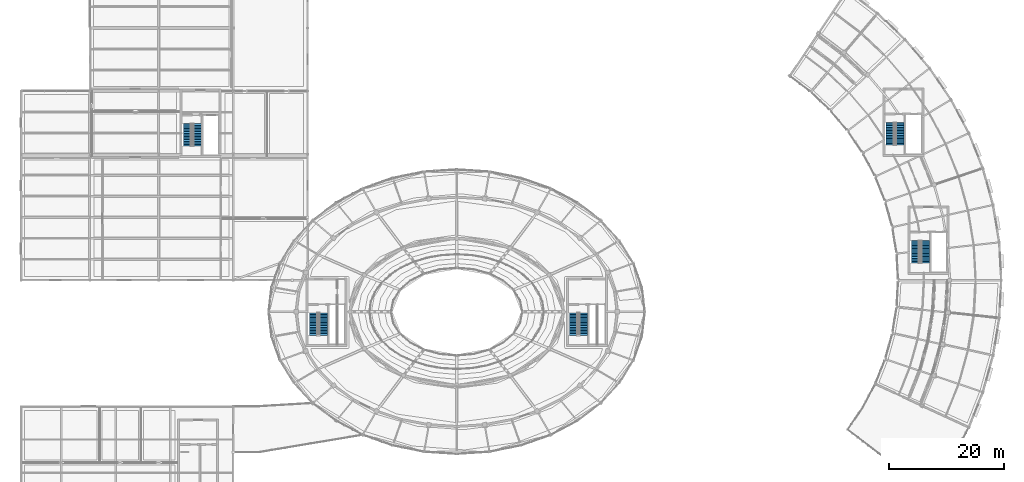
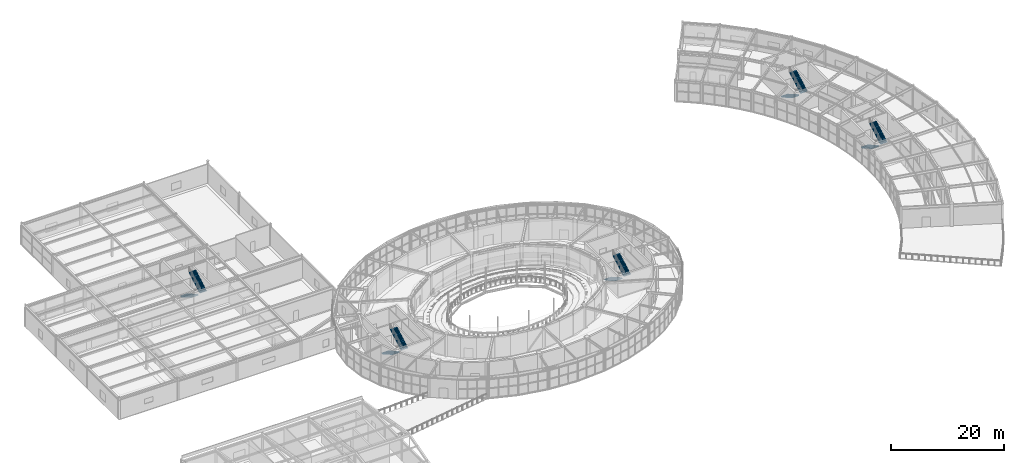
# One storey, part 96 of 108: 10 stair flights, 5 elements without a shape of their own.
"""IFC4 building model written with IfcOpenShell, lengths in metres."""

from ifc_helpers import new_model, si_unit, direction, frame, origin, place, context, subcontext, project, spatial, polyline, outline, extrude, material, type_object, element, aggregate, save


model = new_model("IFC4")

# Units and contexts
model_context = context("Model", 3, precision=1e-05, world=origin(), true_north=direction((0.0, 1.0)))
body_context = subcontext(model_context, "Body", "Model", "MODEL_VIEW")
ifc_project = project(units=[si_unit("LENGTHUNIT", "METRE"), si_unit("AREAUNIT", "SQUARE_METRE"), si_unit("VOLUMEUNIT", "CUBIC_METRE"), si_unit("PLANEANGLEUNIT", "RADIAN"), si_unit("MASSUNIT", "GRAM", prefix="KILO")], contexts=[model_context])

# Site, building, storey
site_placement = place(None, origin())
site = spatial("IfcSite", under=ifc_project, at=site_placement, CompositionType="ELEMENT")
building_placement = place(site_placement, origin())
building = spatial("IfcBuilding", under=site, at=building_placement, Name="Tarnveldt Headland Concert Hall", CompositionType="ELEMENT")
storey_placement = place(building_placement, frame((0.0, 0.0, 9.60009765625)))
storey = spatial("IfcBuildingStorey", under=building, at=storey_placement, Name="L02", CompositionType="ELEMENT", Elevation=9.60009765625)

# Stair, stair flights
ifc_material = material(Name="Concrete C40/50", Category="concrete")
stair_type = type_object("IfcStairType", Name="ST-CORE480", PredefinedType="HALF_TURN_STAIR", material=ifc_material)
stair_1_placement = place(storey_placement, origin())
stair_1 = element("IfcStair", 1, at=stair_1_placement, inside=storey, type_object=stair_type, Name="Exit stair STR-C1-L02", PredefinedType="HALF_TURN_STAIR")
stair_flight_type = type_object("IfcStairFlightType", Name="SF-140x160", PredefinedType="STRAIGHT", material=ifc_material)
stair_flight_1_placement = place(storey_placement, frame((58.489990234375, 54.320068359375, 0.0), z_axis=(0.0, 0.0, 1.0), x_axis=(0.0, -1.0, 0.0)))
stair_flight_1 = element("IfcStairFlight", 2, at=stair_flight_1_placement, type_object=stair_flight_type, Name="Stair flight STR-C1-L02-F1", NumberOfRisers=15, NumberOfTreads=14, PredefinedType="STRAIGHT", RiserHeight=0.16, TreadLength=0.28, context=body_context, shape_type="SweptSolid", body=[
    extrude(outline(polyline([(0.0, 0.0), (0.0, 0.159912109375), (0.280029296875, 0.159912109375), (0.280029296875, 0.320068359375), (0.56005859375, 0.320068359375), (0.56005859375, 0.47998046875), (0.840087890625, 0.47998046875), (0.840087890625, 0.639892578125), (1.1201171875, 0.639892578125), (1.1201171875, 0.800048828125), (1.39990234375, 0.800048828125), (1.39990234375, 0.9599609375), (1.679931640625, 0.9599609375), (1.679931640625, 1.1201171875), (1.9599609375, 1.1201171875), (1.9599609375, 1.280029296875), (2.239990234375, 1.280029296875), (2.239990234375, 1.43994140625), (2.52001953125, 1.43994140625), (2.52001953125, 1.60009765625), (2.800048828125, 1.60009765625), (2.800048828125, 1.760009765625), (3.080078125, 1.760009765625), (3.080078125, 1.919921875), (3.360107421875, 1.919921875), (3.360107421875, 2.080078125), (3.639892578125, 2.080078125), (3.639892578125, 2.239990234375), (3.919921875, 2.239990234375), (3.919921875, 2.39990234375), (3.919921875, 2.055908203125), (0.322265625, 0.0), (0.0, 0.0)])), frame((0.0, 0.699951171875, 0.0), z_axis=(0.0, -1.0, 0.0), x_axis=(1.0, 0.0, 0.0)), (0.0, 0.0, 1.0), 1.39990234375),
])
stair_flight_2_placement = place(storey_placement, frame((60.22998046875, 50.39990234375, 2.39990234375), z_axis=(0.0, 0.0, 1.0), x_axis=(0.0, 1.0, 0.0)))
stair_flight_2 = element("IfcStairFlight", 3, at=stair_flight_2_placement, type_object=stair_flight_type, Name="Stair flight STR-C1-L02-F2", NumberOfRisers=15, NumberOfTreads=14, PredefinedType="STRAIGHT", RiserHeight=0.16, TreadLength=0.28, context=body_context, shape_type="SweptSolid", body=[
    extrude(outline(polyline([(0.0, 0.0), (0.0, 0.159912109375), (0.280029296875, 0.159912109375), (0.280029296875, 0.320068359375), (0.56005859375, 0.320068359375), (0.56005859375, 0.47998046875), (0.840087890625, 0.47998046875), (0.840087890625, 0.639892578125), (1.1201171875, 0.639892578125), (1.1201171875, 0.800048828125), (1.39990234375, 0.800048828125), (1.39990234375, 0.9599609375), (1.679931640625, 0.9599609375), (1.679931640625, 1.1201171875), (1.9599609375, 1.1201171875), (1.9599609375, 1.280029296875), (2.239990234375, 1.280029296875), (2.239990234375, 1.43994140625), (2.52001953125, 1.43994140625), (2.52001953125, 1.60009765625), (2.800048828125, 1.60009765625), (2.800048828125, 1.760009765625), (3.080078125, 1.760009765625), (3.080078125, 1.919921875), (3.360107421875, 1.919921875), (3.360107421875, 2.080078125), (3.639892578125, 2.080078125), (3.639892578125, 2.239990234375), (3.919921875, 2.239990234375), (3.919921875, 2.39990234375), (3.919921875, 2.055908203125), (0.322265625, 0.0), (0.0, 0.0)])), frame((0.0, 0.699951171875, 0.0), z_axis=(0.0, -1.0, 0.0), x_axis=(1.0, 0.0, 0.0)), (0.0, 0.0, 1.0), 1.39990234375),
])
aggregate(stair_1, [stair_flight_1, stair_flight_2])

stair_2_placement = place(storey_placement, origin())
stair_2 = element("IfcStair", 4, at=stair_2_placement, inside=storey, type_object=stair_type, Name="Exit stair STR-C2-L02", PredefinedType="HALF_TURN_STAIR")
stair_flight_3_placement = place(storey_placement, frame((103.889892578125, 54.320068359375, 0.0), z_axis=(0.0, 0.0, 1.0), x_axis=(0.0, -1.0, 0.0)))
stair_flight_3 = element("IfcStairFlight", 5, at=stair_flight_3_placement, type_object=stair_flight_type, Name="Stair flight STR-C2-L02-F1", NumberOfRisers=15, NumberOfTreads=14, PredefinedType="STRAIGHT", RiserHeight=0.16, TreadLength=0.28, context=body_context, shape_type="SweptSolid", body=[
    extrude(outline(polyline([(0.0, 0.0), (0.0, 0.159912109375), (0.280029296875, 0.159912109375), (0.280029296875, 0.320068359375), (0.56005859375, 0.320068359375), (0.56005859375, 0.47998046875), (0.840087890625, 0.47998046875), (0.840087890625, 0.639892578125), (1.1201171875, 0.639892578125), (1.1201171875, 0.800048828125), (1.39990234375, 0.800048828125), (1.39990234375, 0.9599609375), (1.679931640625, 0.9599609375), (1.679931640625, 1.1201171875), (1.9599609375, 1.1201171875), (1.9599609375, 1.280029296875), (2.239990234375, 1.280029296875), (2.239990234375, 1.43994140625), (2.52001953125, 1.43994140625), (2.52001953125, 1.60009765625), (2.800048828125, 1.60009765625), (2.800048828125, 1.760009765625), (3.080078125, 1.760009765625), (3.080078125, 1.919921875), (3.360107421875, 1.919921875), (3.360107421875, 2.080078125), (3.639892578125, 2.080078125), (3.639892578125, 2.239990234375), (3.919921875, 2.239990234375), (3.919921875, 2.39990234375), (3.919921875, 2.055908203125), (0.322265625, 0.0), (0.0, 0.0)])), frame((0.0, 0.699951171875, 0.0), z_axis=(0.0, -1.0, 0.0), x_axis=(1.0, 0.0, 0.0)), (0.0, 0.0, 1.0), 1.39990234375),
])
stair_flight_4_placement = place(storey_placement, frame((105.6298828125, 50.39990234375, 2.39990234375), z_axis=(0.0, 0.0, 1.0), x_axis=(0.0, 1.0, 0.0)))
stair_flight_4 = element("IfcStairFlight", 6, at=stair_flight_4_placement, type_object=stair_flight_type, Name="Stair flight STR-C2-L02-F2", NumberOfRisers=15, NumberOfTreads=14, PredefinedType="STRAIGHT", RiserHeight=0.16, TreadLength=0.28, context=body_context, shape_type="SweptSolid", body=[
    extrude(outline(polyline([(0.0, 0.0), (0.0, 0.159912109375), (0.280029296875, 0.159912109375), (0.280029296875, 0.320068359375), (0.56005859375, 0.320068359375), (0.56005859375, 0.47998046875), (0.840087890625, 0.47998046875), (0.840087890625, 0.639892578125), (1.1201171875, 0.639892578125), (1.1201171875, 0.800048828125), (1.39990234375, 0.800048828125), (1.39990234375, 0.9599609375), (1.679931640625, 0.9599609375), (1.679931640625, 1.1201171875), (1.9599609375, 1.1201171875), (1.9599609375, 1.280029296875), (2.239990234375, 1.280029296875), (2.239990234375, 1.43994140625), (2.52001953125, 1.43994140625), (2.52001953125, 1.60009765625), (2.800048828125, 1.60009765625), (2.800048828125, 1.760009765625), (3.080078125, 1.760009765625), (3.080078125, 1.919921875), (3.360107421875, 1.919921875), (3.360107421875, 2.080078125), (3.639892578125, 2.080078125), (3.639892578125, 2.239990234375), (3.919921875, 2.239990234375), (3.919921875, 2.39990234375), (3.919921875, 2.055908203125), (0.322265625, 0.0), (0.0, 0.0)])), frame((0.0, 0.699951171875, 0.0), z_axis=(0.0, -1.0, 0.0), x_axis=(1.0, 0.0, 0.0)), (0.0, 0.0, 1.0), 1.39990234375),
])
aggregate(stair_2, [stair_flight_3, stair_flight_4])

stair_3_placement = place(storey_placement, origin())
stair_3 = element("IfcStair", 7, at=stair_3_placement, inside=storey, type_object=stair_type, Name="Exit stair STR-C3-L02", PredefinedType="HALF_TURN_STAIR")
stair_flight_5_placement = place(storey_placement, frame((159.090087890625, 87.52001953125, 0.0), z_axis=(0.0, 0.0, 1.0), x_axis=(0.0, -1.0, 0.0)))
stair_flight_5 = element("IfcStairFlight", 8, at=stair_flight_5_placement, type_object=stair_flight_type, Name="Stair flight STR-C3-L02-F1", NumberOfRisers=15, NumberOfTreads=14, PredefinedType="STRAIGHT", RiserHeight=0.16, TreadLength=0.28, context=body_context, shape_type="SweptSolid", body=[
    extrude(outline(polyline([(0.0, 0.0), (0.0, 0.159912109375), (0.280029296875, 0.159912109375), (0.280029296875, 0.320068359375), (0.56005859375, 0.320068359375), (0.56005859375, 0.47998046875), (0.840087890625, 0.47998046875), (0.840087890625, 0.639892578125), (1.1201171875, 0.639892578125), (1.1201171875, 0.800048828125), (1.39990234375, 0.800048828125), (1.39990234375, 0.9599609375), (1.679931640625, 0.9599609375), (1.679931640625, 1.1201171875), (1.9599609375, 1.1201171875), (1.9599609375, 1.280029296875), (2.239990234375, 1.280029296875), (2.239990234375, 1.43994140625), (2.52001953125, 1.43994140625), (2.52001953125, 1.60009765625), (2.800048828125, 1.60009765625), (2.800048828125, 1.760009765625), (3.080078125, 1.760009765625), (3.080078125, 1.919921875), (3.360107421875, 1.919921875), (3.360107421875, 2.080078125), (3.639892578125, 2.080078125), (3.639892578125, 2.239990234375), (3.919921875, 2.239990234375), (3.919921875, 2.39990234375), (3.919921875, 2.055908203125), (0.322265625, 0.0), (0.0, 0.0)])), frame((0.0, 0.699951171875, 0.0), z_axis=(0.0, -1.0, 0.0), x_axis=(1.0, 0.0, 0.0)), (0.0, 0.0, 1.0), 1.39990234375),
])
stair_flight_6_placement = place(storey_placement, frame((160.830078125, 83.60009765625, 2.39990234375), z_axis=(0.0, 0.0, 1.0), x_axis=(0.0, 1.0, 0.0)))
stair_flight_6 = element("IfcStairFlight", 9, at=stair_flight_6_placement, type_object=stair_flight_type, Name="Stair flight STR-C3-L02-F2", NumberOfRisers=15, NumberOfTreads=14, PredefinedType="STRAIGHT", RiserHeight=0.16, TreadLength=0.28, context=body_context, shape_type="SweptSolid", body=[
    extrude(outline(polyline([(0.0, 0.0), (0.0, 0.159912109375), (0.280029296875, 0.159912109375), (0.280029296875, 0.320068359375), (0.56005859375, 0.320068359375), (0.56005859375, 0.47998046875), (0.840087890625, 0.47998046875), (0.840087890625, 0.639892578125), (1.1201171875, 0.639892578125), (1.1201171875, 0.800048828125), (1.39990234375, 0.800048828125), (1.39990234375, 0.9599609375), (1.679931640625, 0.9599609375), (1.679931640625, 1.1201171875), (1.9599609375, 1.1201171875), (1.9599609375, 1.280029296875), (2.239990234375, 1.280029296875), (2.239990234375, 1.43994140625), (2.52001953125, 1.43994140625), (2.52001953125, 1.60009765625), (2.800048828125, 1.60009765625), (2.800048828125, 1.760009765625), (3.080078125, 1.760009765625), (3.080078125, 1.919921875), (3.360107421875, 1.919921875), (3.360107421875, 2.080078125), (3.639892578125, 2.080078125), (3.639892578125, 2.239990234375), (3.919921875, 2.239990234375), (3.919921875, 2.39990234375), (3.919921875, 2.055908203125), (0.322265625, 0.0), (0.0, 0.0)])), frame((0.0, 0.699951171875, 0.0), z_axis=(0.0, -1.0, 0.0), x_axis=(1.0, 0.0, 0.0)), (0.0, 0.0, 1.0), 1.39990234375),
])
aggregate(stair_3, [stair_flight_5, stair_flight_6])

stair_4_placement = place(storey_placement, origin())
stair_4 = element("IfcStair", 10, at=stair_4_placement, inside=storey, type_object=stair_type, Name="Exit stair STR-C4-L02", PredefinedType="HALF_TURN_STAIR")
stair_flight_7_placement = place(storey_placement, frame((163.489990234375, 66.919921875, 0.0), z_axis=(0.0, 0.0, 1.0), x_axis=(0.0, -1.0, 0.0)))
stair_flight_7 = element("IfcStairFlight", 11, at=stair_flight_7_placement, type_object=stair_flight_type, Name="Stair flight STR-C4-L02-F1", NumberOfRisers=15, NumberOfTreads=14, PredefinedType="STRAIGHT", RiserHeight=0.16, TreadLength=0.28, context=body_context, shape_type="SweptSolid", body=[
    extrude(outline(polyline([(0.0, 0.0), (0.0, 0.159912109375), (0.280029296875, 0.159912109375), (0.280029296875, 0.320068359375), (0.56005859375, 0.320068359375), (0.56005859375, 0.47998046875), (0.840087890625, 0.47998046875), (0.840087890625, 0.639892578125), (1.1201171875, 0.639892578125), (1.1201171875, 0.800048828125), (1.39990234375, 0.800048828125), (1.39990234375, 0.9599609375), (1.679931640625, 0.9599609375), (1.679931640625, 1.1201171875), (1.9599609375, 1.1201171875), (1.9599609375, 1.280029296875), (2.239990234375, 1.280029296875), (2.239990234375, 1.43994140625), (2.52001953125, 1.43994140625), (2.52001953125, 1.60009765625), (2.800048828125, 1.60009765625), (2.800048828125, 1.760009765625), (3.080078125, 1.760009765625), (3.080078125, 1.919921875), (3.360107421875, 1.919921875), (3.360107421875, 2.080078125), (3.639892578125, 2.080078125), (3.639892578125, 2.239990234375), (3.919921875, 2.239990234375), (3.919921875, 2.39990234375), (3.919921875, 2.055908203125), (0.322265625, 0.0), (0.0, 0.0)])), frame((0.0, 0.699951171875, 0.0), z_axis=(0.0, -1.0, 0.0), x_axis=(1.0, 0.0, 0.0)), (0.0, 0.0, 1.0), 1.39990234375),
])
stair_flight_8_placement = place(storey_placement, frame((165.22998046875, 63.0, 2.39990234375), z_axis=(0.0, 0.0, 1.0), x_axis=(0.0, 1.0, 0.0)))
stair_flight_8 = element("IfcStairFlight", 12, at=stair_flight_8_placement, type_object=stair_flight_type, Name="Stair flight STR-C4-L02-F2", NumberOfRisers=15, NumberOfTreads=14, PredefinedType="STRAIGHT", RiserHeight=0.16, TreadLength=0.28, context=body_context, shape_type="SweptSolid", body=[
    extrude(outline(polyline([(0.0, 0.0), (0.0, 0.159912109375), (0.280029296875, 0.159912109375), (0.280029296875, 0.320068359375), (0.56005859375, 0.320068359375), (0.56005859375, 0.47998046875), (0.840087890625, 0.47998046875), (0.840087890625, 0.639892578125), (1.1201171875, 0.639892578125), (1.1201171875, 0.800048828125), (1.39990234375, 0.800048828125), (1.39990234375, 0.9599609375), (1.679931640625, 0.9599609375), (1.679931640625, 1.1201171875), (1.9599609375, 1.1201171875), (1.9599609375, 1.280029296875), (2.239990234375, 1.280029296875), (2.239990234375, 1.43994140625), (2.52001953125, 1.43994140625), (2.52001953125, 1.60009765625), (2.800048828125, 1.60009765625), (2.800048828125, 1.760009765625), (3.080078125, 1.760009765625), (3.080078125, 1.919921875), (3.360107421875, 1.919921875), (3.360107421875, 2.080078125), (3.639892578125, 2.080078125), (3.639892578125, 2.239990234375), (3.919921875, 2.239990234375), (3.919921875, 2.39990234375), (3.919921875, 2.055908203125), (0.322265625, 0.0), (0.0, 0.0)])), frame((0.0, 0.699951171875, 0.0), z_axis=(0.0, -1.0, 0.0), x_axis=(1.0, 0.0, 0.0)), (0.0, 0.0, 1.0), 1.39990234375),
])
aggregate(stair_4, [stair_flight_7, stair_flight_8])

stair_5_placement = place(storey_placement, origin())
stair_5 = element("IfcStair", 13, at=stair_5_placement, inside=storey, type_object=stair_type, Name="Exit stair STR-C6-L02", PredefinedType="HALF_TURN_STAIR")
stair_flight_9_placement = place(storey_placement, frame((36.489990234375, 87.320068359375, 0.0), z_axis=(0.0, 0.0, 1.0), x_axis=(0.0, -1.0, 0.0)))
stair_flight_9 = element("IfcStairFlight", 14, at=stair_flight_9_placement, type_object=stair_flight_type, Name="Stair flight STR-C6-L02-F1", NumberOfRisers=15, NumberOfTreads=14, PredefinedType="STRAIGHT", RiserHeight=0.16, TreadLength=0.28, context=body_context, shape_type="SweptSolid", body=[
    extrude(outline(polyline([(0.0, 0.0), (0.0, 0.159912109375), (0.280029296875, 0.159912109375), (0.280029296875, 0.320068359375), (0.56005859375, 0.320068359375), (0.56005859375, 0.47998046875), (0.840087890625, 0.47998046875), (0.840087890625, 0.639892578125), (1.1201171875, 0.639892578125), (1.1201171875, 0.800048828125), (1.39990234375, 0.800048828125), (1.39990234375, 0.9599609375), (1.679931640625, 0.9599609375), (1.679931640625, 1.1201171875), (1.9599609375, 1.1201171875), (1.9599609375, 1.280029296875), (2.239990234375, 1.280029296875), (2.239990234375, 1.43994140625), (2.52001953125, 1.43994140625), (2.52001953125, 1.60009765625), (2.800048828125, 1.60009765625), (2.800048828125, 1.760009765625), (3.080078125, 1.760009765625), (3.080078125, 1.919921875), (3.360107421875, 1.919921875), (3.360107421875, 2.080078125), (3.639892578125, 2.080078125), (3.639892578125, 2.239990234375), (3.919921875, 2.239990234375), (3.919921875, 2.39990234375), (3.919921875, 2.055908203125), (0.322265625, 0.0), (0.0, 0.0)])), frame((0.0, 0.699951171875, 0.0), z_axis=(0.0, -1.0, 0.0), x_axis=(1.0, 0.0, 0.0)), (0.0, 0.0, 1.0), 1.39990234375),
])
stair_flight_10_placement = place(storey_placement, frame((38.22998046875, 83.39990234375, 2.39990234375), z_axis=(0.0, 0.0, 1.0), x_axis=(0.0, 1.0, 0.0)))
stair_flight_10 = element("IfcStairFlight", 15, at=stair_flight_10_placement, type_object=stair_flight_type, Name="Stair flight STR-C6-L02-F2", NumberOfRisers=15, NumberOfTreads=14, PredefinedType="STRAIGHT", RiserHeight=0.16, TreadLength=0.28, context=body_context, shape_type="SweptSolid", body=[
    extrude(outline(polyline([(0.0, 0.0), (0.0, 0.159912109375), (0.280029296875, 0.159912109375), (0.280029296875, 0.320068359375), (0.56005859375, 0.320068359375), (0.56005859375, 0.47998046875), (0.840087890625, 0.47998046875), (0.840087890625, 0.639892578125), (1.1201171875, 0.639892578125), (1.1201171875, 0.800048828125), (1.39990234375, 0.800048828125), (1.39990234375, 0.9599609375), (1.679931640625, 0.9599609375), (1.679931640625, 1.1201171875), (1.9599609375, 1.1201171875), (1.9599609375, 1.280029296875), (2.239990234375, 1.280029296875), (2.239990234375, 1.43994140625), (2.52001953125, 1.43994140625), (2.52001953125, 1.60009765625), (2.800048828125, 1.60009765625), (2.800048828125, 1.760009765625), (3.080078125, 1.760009765625), (3.080078125, 1.919921875), (3.360107421875, 1.919921875), (3.360107421875, 2.080078125), (3.639892578125, 2.080078125), (3.639892578125, 2.239990234375), (3.919921875, 2.239990234375), (3.919921875, 2.39990234375), (3.919921875, 2.055908203125), (0.322265625, 0.0), (0.0, 0.0)])), frame((0.0, 0.699951171875, 0.0), z_axis=(0.0, -1.0, 0.0), x_axis=(1.0, 0.0, 0.0)), (0.0, 0.0, 1.0), 1.39990234375),
])
aggregate(stair_5, [stair_flight_9, stair_flight_10])

save(model, "model.ifc")
